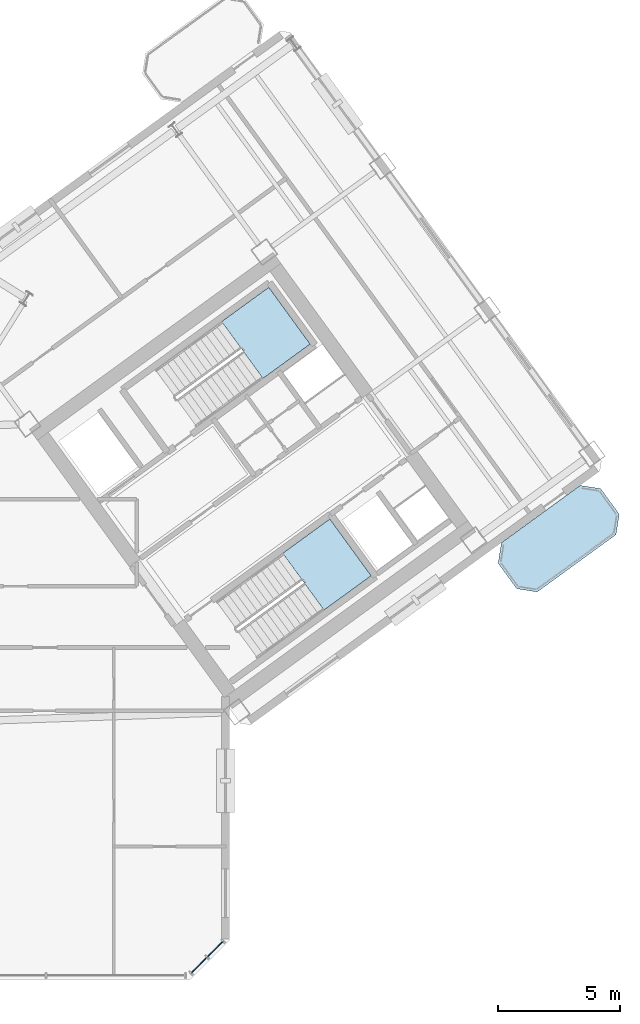
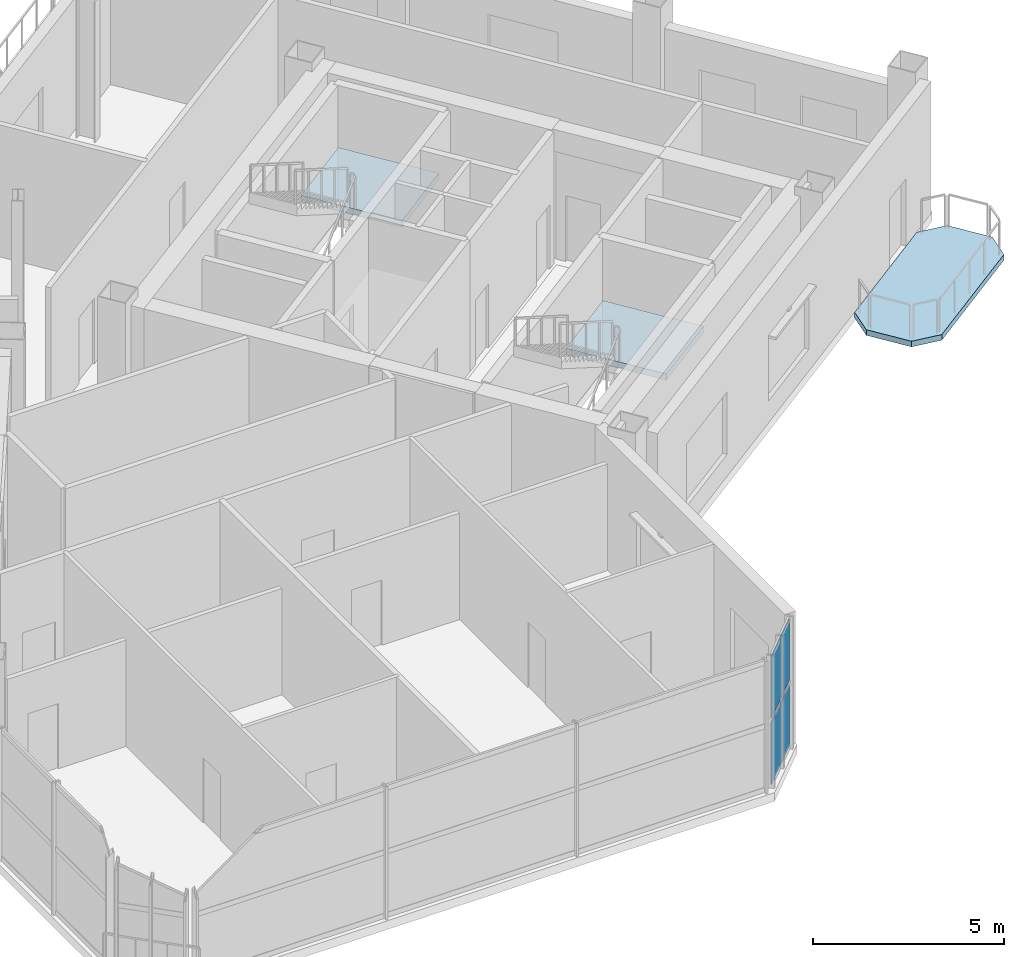
# One storey, part 10 of 20: 4 plates, 3 slabs, 3 elements without a shape of their own.
"""IFC4 building model written with IfcOpenShell, lengths in metres."""

import ifcopenshell
import ifcopenshell.guid

model = None  # the IFC model being written
_history = None  # IfcOwnerHistory: only IFC2X3 demands one
_inside = {}  # id of a spatial element -> (the spatial element, [elements in it])
_under = {}  # id of a project, library or spatial element -> (it, [spatial elements below it])
_declared = {}  # id of a project -> (the project, [libraries it declares])
_typed = {}  # id of a type object -> (the type object, [elements of that type])
_made_of = {}  # id of a material, layer set ... -> (it, [elements and type objects made of it])


def new_model(schema):
    """Start an empty IFC model of exactly this schema.

    Asked for "IFC4X3", IfcOpenShell would pick the latest addendum, in which some entities
    have other attributes; the version numbers below select the first issue.
    IFC2X3 requires an IfcOwnerHistory on every rooted entity: one is made here for all.
    """
    global model, _history
    if schema == "IFC4X3":
        model = ifcopenshell.file(schema_version=(4, 3, 0, 0))
    else:
        model = ifcopenshell.file(schema=schema)
    _inside.clear()
    _under.clear()
    _declared.clear()
    _typed.clear()
    _made_of.clear()
    _history = None
    if model.schema == "IFC2X3":
        org = make("IfcOrganization", Name="unknown")
        user = make(
            "IfcPersonAndOrganization",
            ThePerson=make("IfcPerson", FamilyName="unknown"),
            TheOrganization=org,
        )
        app = make(
            "IfcApplication",
            ApplicationDeveloper=org,
            Version="unknown",
            ApplicationFullName="unknown",
            ApplicationIdentifier="unknown",
        )
        _history = make(
            "IfcOwnerHistory",
            OwningUser=user,
            OwningApplication=app,
            ChangeAction="ADDED",
            CreationDate=0,
        )
    return model


def make(cls, **values):
    """One entity of the class cls with the attributes given. An attribute that is None is left unset."""
    return model.create_entity(
        cls, **{name: value for name, value in values.items() if value is not None}
    )


def rooted(cls, **values):
    """An entity with a GlobalId (a new one), such as an element, a storey or a relation."""
    return make(cls, GlobalId=ifcopenshell.guid.new(), OwnerHistory=_history, **values)


def si_unit(unit_type, name, prefix=None):
    """IfcSIUnit, for example si_unit("LENGTHUNIT", "METRE", prefix="MILLI")."""
    return make("IfcSIUnit", UnitType=unit_type, Prefix=prefix, Name=name)


def assignment(units):
    """IfcUnitAssignment: the units of a project."""
    return None if units is None else make("IfcUnitAssignment", Units=units)


def point(xyz):
    """IfcCartesianPoint."""
    return None if xyz is None else make("IfcCartesianPoint", Coordinates=xyz)


def direction(xyz):
    """IfcDirection."""
    return None if xyz is None else make("IfcDirection", DirectionRatios=xyz)


def frame(location, z_axis=None, x_axis=None):
    """IfcAxis2Placement3D, a coordinate frame: its origin and axes. An axis left out is left unset."""
    return make(
        "IfcAxis2Placement3D",
        Location=point(location),
        Axis=direction(z_axis),
        RefDirection=direction(x_axis),
    )


def frame_2d(location, x_axis=None):
    """IfcAxis2Placement2D, a coordinate frame in the plane: its origin and x axis."""
    return make(
        "IfcAxis2Placement2D", Location=point(location), RefDirection=direction(x_axis)
    )


def origin():
    """The frame at (0, 0, 0) with its axes left unset."""
    return frame((0.0, 0.0, 0.0))


def origin_2d():
    """The frame at (0, 0) in the plane with its x axis left unset."""
    return frame_2d((0.0, 0.0))


def place(relative_to, where):
    """IfcLocalPlacement: puts the frame where relative to a parent placement (None: the world)."""
    return make(
        "IfcLocalPlacement", PlacementRelTo=relative_to, RelativePlacement=where
    )


def context(
    kind, dimensions, precision=None, world=None, true_north=None, identifier=None
):
    """IfcGeometricRepresentationContext, for example the 3D "Model" context."""
    return make(
        "IfcGeometricRepresentationContext",
        ContextIdentifier=identifier,
        ContextType=kind,
        CoordinateSpaceDimension=dimensions,
        Precision=precision,
        WorldCoordinateSystem=world,
        TrueNorth=true_north,
    )


def subcontext(parent, identifier, kind, view, scale=None):
    """IfcGeometricRepresentationSubContext, for example "Body" below "Model"."""
    return make(
        "IfcGeometricRepresentationSubContext",
        ContextIdentifier=identifier,
        ContextType=kind,
        ParentContext=parent,
        TargetScale=scale,
        TargetView=view,
    )


def project(units=None, contexts=None):
    """IfcProject with its units and contexts."""
    return rooted(
        "IfcProject",
        Name="project",
        RepresentationContexts=contexts,
        UnitsInContext=assignment(units),
    )


def spatial(cls, under=None, at=None, **own):
    """A site, building, storey or space (cls), placed at a placement, below another one or the project."""
    s = rooted(cls, ObjectPlacement=at, **own)
    if under is not None:
        _under.setdefault(under.id(), (under, []))[1].append(s)
    return s


def polyline(points):
    """IfcPolyline through the points."""
    return make("IfcPolyline", Points=[point(p) for p in points])


def profile(cls, at=None, kind="AREA", **sizes):
    """A parametric profile (cls). Its sizes go by their IFC names, for example OverallWidth=200.0."""
    return make(cls, ProfileType=kind, Position=at, **sizes)


def rectangle(**sizes):
    """IfcRectangleProfileDef."""
    return profile("IfcRectangleProfileDef", **sizes)


def outline(outer, holes=None, kind="AREA"):
    """IfcArbitraryClosedProfileDef: a profile drawn as a closed curve; with holes, ...WithVoids."""
    if holes is None:
        return make("IfcArbitraryClosedProfileDef", ProfileType=kind, OuterCurve=outer)
    return make(
        "IfcArbitraryProfileDefWithVoids",
        ProfileType=kind,
        OuterCurve=outer,
        InnerCurves=holes,
    )


def extrude(swept, where, along, depth):
    """IfcExtrudedAreaSolid: the profile swept, set in the frame where, extruded along a direction by depth."""
    return make(
        "IfcExtrudedAreaSolid",
        SweptArea=swept,
        Position=where,
        ExtrudedDirection=direction(along),
        Depth=depth,
    )


def shape(context_of_items, identifier, shape_type, items):
    """IfcShapeRepresentation: the items that make up one representation, for example the "Body"."""
    return make(
        "IfcShapeRepresentation",
        ContextOfItems=context_of_items,
        RepresentationIdentifier=identifier,
        RepresentationType=shape_type,
        Items=items,
    )


def source(mapping_origin, context_of_items, identifier, shape_type, items):
    """IfcRepresentationMap: a shape defined once, which mapped items show again and again."""
    return make(
        "IfcRepresentationMap",
        MappingOrigin=mapping_origin,
        MappedRepresentation=shape(context_of_items, identifier, shape_type, items),
    )


def transform(
    local_origin,
    x_axis=None,
    y_axis=None,
    z_axis=None,
    scale=None,
    scale2=None,
    scale3=None,
    uniform=True,
):
    """IfcCartesianTransformationOperator3D, or its non-uniform kind. x_axis, y_axis, z_axis: its Axis1, 2, 3."""
    if uniform:
        return make(
            "IfcCartesianTransformationOperator3D",
            Axis1=direction(x_axis),
            Axis2=direction(y_axis),
            LocalOrigin=point(local_origin),
            Scale=scale,
            Axis3=direction(z_axis),
        )
    return make(
        "IfcCartesianTransformationOperator3DnonUniform",
        Axis1=direction(x_axis),
        Axis2=direction(y_axis),
        LocalOrigin=point(local_origin),
        Scale=scale,
        Axis3=direction(z_axis),
        Scale2=scale2,
        Scale3=scale3,
    )


def mapped(mapping_source, mapping_target):
    """IfcMappedItem: shows the shape of a source again, moved by a transform."""
    return make(
        "IfcMappedItem", MappingSource=mapping_source, MappingTarget=mapping_target
    )


def material(Name=None, Category=None):
    """IfcMaterial."""
    return make("IfcMaterial", Name=Name, Category=Category)


def layer(
    of_material, thickness, ventilated=None, Name=None, Category=None, Priority=None
):
    """IfcMaterialLayer: one layer of a wall or slab, of a material (None: an air gap)."""
    return make(
        "IfcMaterialLayer",
        Material=of_material,
        LayerThickness=thickness,
        IsVentilated=ventilated,
        Name=Name,
        Category=Category,
        Priority=Priority,
    )


def layer_set(layers, Name=None):
    """IfcMaterialLayerSet."""
    return make("IfcMaterialLayerSet", MaterialLayers=layers, LayerSetName=Name)


def made_of(thing, what):
    """Note that an element or type object is made of a material, layer set ...; save() writes the relation."""
    if what is not None:
        _made_of.setdefault(what.id(), (what, []))[1].append(thing)
    return thing


def type_object(cls, material=None, **own):
    """A type object (cls), such as IfcWallType, which elements share."""
    return made_of(rooted(cls, **own), material)


def element(
    cls,
    number,
    at=None,
    inside=None,
    cuts=None,
    type_object=None,
    material=None,
    context=None,
    identifier="Body",
    shape_type=None,
    held_by="IfcProductDefinitionShape",
    body=None,
    shapes=None,
    **own,
):
    """One element of the class cls, such as IfcWall. Its Tag is "e" and its number.

    at: its placement. inside: the storey or other place that contains it. cuts: it is an
    opening in that element (IfcRelVoidsElement). A single representation is given by context,
    identifier, shape_type and body (its items); several are given by shapes. held_by: the class
    of the entity that holds the representations. save() writes the other relations.
    """
    e = rooted(cls, Tag="e%d" % number, ObjectPlacement=at, **own)
    if body is not None:
        shapes = [shape(context, identifier, shape_type, body)]
    if shapes is not None:
        e.Representation = make(held_by, Representations=shapes)
    if inside is not None:
        _inside.setdefault(inside.id(), (inside, []))[1].append(e)
    if cuts is not None:
        rooted(
            "IfcRelVoidsElement", RelatingBuildingElement=cuts, RelatedOpeningElement=e
        )
    if type_object is not None:
        _typed.setdefault(type_object.id(), (type_object, []))[1].append(e)
    return made_of(e, material)


def aggregate(whole, parts):
    """IfcRelAggregates: a whole, such as a stair, and the parts it consists of."""
    return rooted("IfcRelAggregates", RelatingObject=whole, RelatedObjects=parts)


def save(model, path):
    """Write the relations noted so far, then the file.

    IfcRelAggregates (storeys below a building ...), IfcRelContainedInSpatialStructure (elements
    in a storey), IfcRelDefinesByType, IfcRelAssociatesMaterial and IfcRelDeclares: one each for
    every whole, place, type object, material and project.
    """
    for whole, parts in _under.values():
        aggregate(whole, parts)
    for where, things in _inside.values():
        rooted(
            "IfcRelContainedInSpatialStructure",
            RelatedElements=things,
            RelatingStructure=where,
        )
    for kind, things in _typed.values():
        rooted("IfcRelDefinesByType", RelatedObjects=things, RelatingType=kind)
    for what, things in _made_of.values():
        rooted("IfcRelAssociatesMaterial", RelatedObjects=things, RelatingMaterial=what)
    for by, libraries in _declared.values():
        rooted("IfcRelDeclares", RelatingContext=by, RelatedDefinitions=libraries)
    model.write(path)


model = new_model("IFC4")

# Units and contexts
model_context = context("Model", 3, precision=1e-05, world=origin(), true_north=direction((0.0, 1.0)))
body_context = subcontext(model_context, "Body", "Model", "MODEL_VIEW")
ifc_project = project(units=[si_unit("LENGTHUNIT", "METRE"), si_unit("AREAUNIT", "SQUARE_METRE"), si_unit("VOLUMEUNIT", "CUBIC_METRE"), si_unit("PLANEANGLEUNIT", "RADIAN"), si_unit("MASSUNIT", "GRAM", prefix="KILO")], contexts=[model_context])

# Site, building, storey
site_placement = place(None, origin())
site = spatial("IfcSite", under=ifc_project, at=site_placement, CompositionType="ELEMENT")
building_placement = place(site_placement, origin())
building = spatial("IfcBuilding", under=site, at=building_placement, Name="Tlacorven Tower", CompositionType="ELEMENT")
storey_placement = place(building_placement, frame((0.0, 0.0, 195.0)))
storey = spatial("IfcBuildingStorey", under=building, at=storey_placement, Name="L49", CompositionType="ELEMENT", Elevation=195.0)

# Slab
ifc_material_1 = material(Name="Precast concrete C45/55", Category="concrete")
ifc_layer_1 = layer(ifc_material_1, 0.179931640625)
ifc_layer_set_1 = layer_set([ifc_layer_1], Name="Precast concrete C45/55")
slab_type_1 = type_object("IfcSlabType", Name="SL-BAL-180", PredefinedType="USERDEFINED", material=ifc_layer_set_1)
slab_1_placement = place(storey_placement, frame((0.0, 0.0, -0.179931640625)))
element("IfcSlab", 1, at=slab_1_placement, inside=storey, type_object=slab_type_1, Name="L49 East Wing Balcony Ribbon OUT", ObjectType="BALCONY SLAB", PredefinedType="USERDEFINED", context=body_context, shape_type="SweptSolid", body=[
    extrude(outline(polyline([(65.025634765625, 17.69482421875), (68.26171875, 20.046142578125), (68.394287109375, 20.884033203125), (67.633056640625, 21.931884765625), (66.795166015625, 22.064453125), (63.55908203125, 19.71337890625), (63.42626953125, 18.875244140625), (64.1875, 17.82763671875), (65.025634765625, 17.69482421875)])), origin(), (0.0, 0.0, 1.0), 0.179931640625),
])

# Stair, slab
ifc_material_2 = material(Name="Concrete C40/50", Category="concrete")
stair_type = type_object("IfcStairType", Name="ST-CORE-DLG", PredefinedType="HALF_TURN_STAIR", material=ifc_material_2)
stair_1_placement = place(storey_placement, origin())
stair_1 = element("IfcStair", 2, at=stair_1_placement, inside=storey, type_object=stair_type, Name="L49 Protected Exit Stair East 1", PredefinedType="HALF_TURN_STAIR")
ifc_layer_2 = layer(ifc_material_2, 0.199951171875)
ifc_layer_set_2 = layer_set([ifc_layer_2], Name="Concrete C40/50")
slab_type_2 = type_object("IfcSlabType", Name="SL-LND-200", PredefinedType="LANDING", material=ifc_layer_set_2)
slab_2_placement = place(storey_placement, frame((0.0, 0.0, 2.050048828125)))
slab_2 = element("IfcSlab", 3, at=slab_2_placement, type_object=slab_type_2, Name="ST-E1 landing 1", PredefinedType="LANDING", context=body_context, shape_type="SweptSolid", body=[
    extrude(outline(polyline([(53.77734375, 26.456787109375), (55.7109375, 27.861572265625), (54.01806640625, 30.19140625), (52.08447265625, 28.78662109375), (53.77734375, 26.456787109375)])), origin(), (0.0, 0.0, 1.0), 0.199951171875),
])
aggregate(stair_1, [slab_2])

stair_2_placement = place(storey_placement, origin())
stair_2 = element("IfcStair", 4, at=stair_2_placement, inside=storey, type_object=stair_type, Name="L49 Protected Exit Stair East 2", PredefinedType="HALF_TURN_STAIR")
slab_3_placement = place(storey_placement, frame((0.0, 0.0, 2.050048828125)))
slab_3 = element("IfcSlab", 5, at=slab_3_placement, type_object=slab_type_2, Name="ST-E2 landing 1", PredefinedType="LANDING", context=body_context, shape_type="SweptSolid", body=[
    extrude(outline(polyline([(56.28125, 16.95361328125), (58.21484375, 18.3583984375), (56.52197265625, 20.6884765625), (54.58837890625, 19.283447265625), (56.28125, 16.95361328125)])), origin(), (0.0, 0.0, 1.0), 0.199951171875),
])
aggregate(stair_2, [slab_3])

# Curtain wall, plates
ifc_material_3 = material(Name="Dark solar low-E double glazing in aluminium frame", Category="aluminium")
curtain_wall_type = type_object("IfcCurtainWallType", Name="CW-COM-AMENITY", PredefinedType="USERDEFINED", material=ifc_material_3)
curtain_wall_placement = place(storey_placement, origin())
curtain_wall = element("IfcCurtainWall", 6, at=curtain_wall_placement, inside=storey, type_object=curtain_wall_type, Name="L49 CW-COM-AMENITY Curtain Wall 224", ObjectType="UNITISED CURTAIN WALL", PredefinedType="USERDEFINED")
ifc_material_4 = material(Name="Dark solar acoustic laminated low-E glazing", Category="glass")
ifc_layer_3 = layer(ifc_material_4, 0.035888671875)
ifc_layer_set_3 = layer_set([ifc_layer_3], Name="Dark solar acoustic laminated low-E glazing")
plate_type = type_object("IfcPlateType", Name="CWP-01", PredefinedType="CURTAIN_PANEL", material=ifc_layer_set_3)
shared_shape = source(origin(), body_context, "Body", "SweptSolid", [
    extrude(rectangle(XDim=0.878173828125, YDim=0.035888671875, at=origin_2d()), origin(), (0.0, 0.0, 1.0), 1.968017578125),
])
plate_1_placement = place(storey_placement, frame((51.815673828125, 3.0419921875, 0.07080078125), z_axis=(0.0, 0.0, 1.0), x_axis=(-0.707106781187, -0.707106781187, 0.0)))
plate_1 = element("IfcPlate", 7, at=plate_1_placement, type_object=plate_type, Name="CW-L49-224 Glazing Panel 1", PredefinedType="CURTAIN_PANEL", context=body_context, shape_type="MappedRepresentation", body=[
    mapped(shared_shape, transform((0.0, 0.0, 0.0), scale=1.0)),
])
plate_2_placement = place(storey_placement, frame((51.815673828125, 3.0419921875, 2.18115234375), z_axis=(0.0, 0.0, 1.0), x_axis=(-0.707106781187, -0.707106781187, 0.0)))
plate_2 = element("IfcPlate", 8, at=plate_2_placement, type_object=plate_type, Name="CW-L49-224 Glazing Panel 2", PredefinedType="CURTAIN_PANEL", context=body_context, shape_type="MappedRepresentation", body=[
    mapped(shared_shape, transform((0.0, 0.0, 0.0), scale=1.0)),
])
plate_3_placement = place(storey_placement, frame((51.157958984375, 2.38427734375, 0.07080078125), z_axis=(0.0, 0.0, 1.0), x_axis=(-0.707106781187, -0.707106781187, 0.0)))
plate_3 = element("IfcPlate", 9, at=plate_3_placement, type_object=plate_type, Name="CW-L49-224 Glazing Panel 3", PredefinedType="CURTAIN_PANEL", context=body_context, shape_type="MappedRepresentation", body=[
    mapped(shared_shape, transform((0.0, 0.0, 0.0), scale=1.0)),
])
plate_4_placement = place(storey_placement, frame((51.157958984375, 2.38427734375, 2.18115234375), z_axis=(0.0, 0.0, 1.0), x_axis=(-0.707106781187, -0.707106781187, 0.0)))
plate_4 = element("IfcPlate", 10, at=plate_4_placement, type_object=plate_type, Name="CW-L49-224 Glazing Panel 4", PredefinedType="CURTAIN_PANEL", context=body_context, shape_type="MappedRepresentation", body=[
    mapped(shared_shape, transform((0.0, 0.0, 0.0), scale=1.0)),
])
aggregate(curtain_wall, [plate_1, plate_2, plate_3, plate_4])

save(model, "model.ifc")
